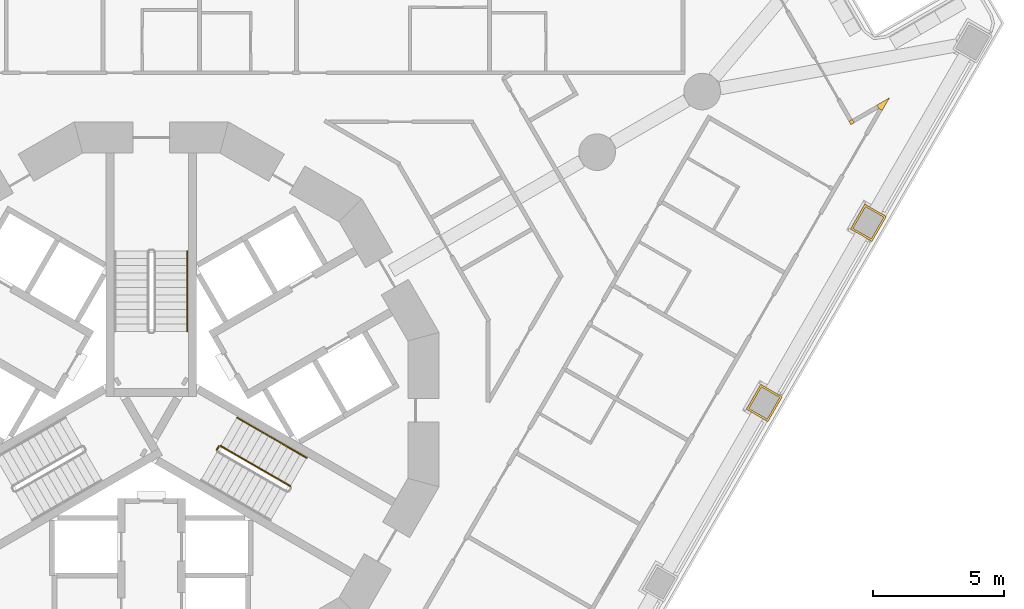
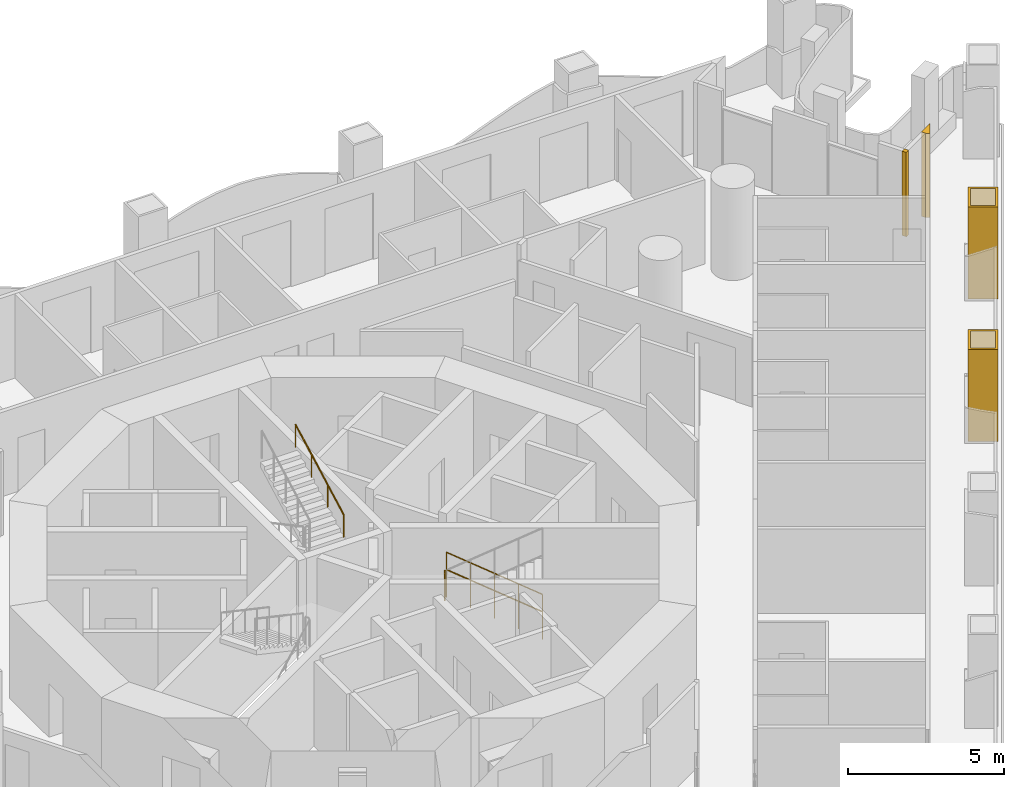
# One storey, part 17 of 19: 5 railings, 4 coverings.
"""IFC4 building model written with IfcOpenShell, lengths in metres."""

from ifc_helpers import new_model, si_unit, direction, frame, origin, origin_2d, place, context, subcontext, project, spatial, polyline, circle, outline, extrude, material, layer, layer_set, type_object, element, save


model = new_model("IFC4")

# Units and contexts
model_context = context("Model", 3, precision=1e-05, world=origin(), true_north=direction((0.0, 1.0)))
body_context = subcontext(model_context, "Body", "Model", "MODEL_VIEW")
ifc_project = project(units=[si_unit("LENGTHUNIT", "METRE"), si_unit("AREAUNIT", "SQUARE_METRE"), si_unit("VOLUMEUNIT", "CUBIC_METRE"), si_unit("PLANEANGLEUNIT", "RADIAN"), si_unit("MASSUNIT", "GRAM", prefix="KILO")], contexts=[model_context])

# Site, building, storey
site_placement = place(None, origin())
site = spatial("IfcSite", under=ifc_project, at=site_placement, CompositionType="ELEMENT")
building_placement = place(site_placement, origin())
building = spatial("IfcBuilding", under=site, at=building_placement, Name="Trine Commons Tower", CompositionType="ELEMENT")
storey_placement = place(building_placement, frame((0.0, 0.0, 31.5)))
storey = spatial("IfcBuildingStorey", under=building, at=storey_placement, Name="L06", CompositionType="ELEMENT", Elevation=31.5)

# Coverings
ifc_material_1 = material(Name="Aluminium-framed insulated wall panel", Category="aluminium")
ifc_layer_1 = layer(ifc_material_1, 0.14990234375)
ifc_layer_set_1 = layer_set([ifc_layer_1], Name="Aluminium-framed insulated wall panel")
covering_type_1 = type_object("IfcCoveringType", Name="Glazing corner post, aluminium", PredefinedType="CLADDING", material=ifc_layer_set_1)
covering_1_placement = place(storey_placement, origin())
element("IfcCovering", 1, at=covering_1_placement, inside=storey, type_object=covering_type_1, Name="Glazing corner post 1-07", PredefinedType="CLADDING", context=body_context, shape_type="SweptSolid", body=[
    extrude(outline(polyline([(106.688720703125, 73.532470703125), (106.763671875, 73.402587890625), (106.8935546875, 73.4775390625), (106.818603515625, 73.607421875), (106.688720703125, 73.532470703125)])), origin(), (0.0, 0.0, 1.0), 3.300048828125),
])
covering_2_placement = place(storey_placement, origin())
element("IfcCovering", 2, at=covering_2_placement, inside=storey, type_object=covering_type_1, Name="Glazing corner post 1-08", PredefinedType="CLADDING", context=body_context, shape_type="SweptSolid", body=[
    extrude(outline(polyline([(107.963623046875, 73.9453125), (108.24365234375, 74.43017578125), (107.7587890625, 74.150146484375), (107.833740234375, 74.020263671875), (107.963623046875, 73.9453125)])), origin(), (0.0, 0.0, 1.0), 3.300048828125),
])
ifc_material_2 = material(Name="Limestone, honed", Category="masonry")
ifc_layer_2 = layer(ifc_material_2, 0.074951171875)
ifc_layer_set_2 = layer_set([ifc_layer_2], Name="Limestone, honed")
covering_type_2 = type_object("IfcCoveringType", Name="Limestone column cladding 75", PredefinedType="CLADDING", material=ifc_layer_set_2)
covering_3_placement = place(storey_placement, origin())
element("IfcCovering", 3, at=covering_3_placement, inside=storey, type_object=covering_type_2, Name="Limestone pier cladding 1-18", PredefinedType="CLADDING", context=body_context, shape_type="SweptSolid", body=[
    extrude(outline(polyline([(108.12109375, 69.8876953125), (107.298095703125, 70.36279296875), (106.748291015625, 69.41015625), (107.571044921875, 68.93505859375), (108.12109375, 69.8876953125)]), holes=[polyline([(108.0185546875, 69.8603515625), (107.32568359375, 70.26025390625), (106.8505859375, 69.4375), (107.54345703125, 69.03759765625), (108.0185546875, 69.8603515625)])]), origin(), (0.0, 0.0, 1.0), 3.60009765625),
])
covering_4_placement = place(storey_placement, origin())
element("IfcCovering", 4, at=covering_4_placement, inside=storey, type_object=covering_type_2, Name="Limestone pier cladding 1-19", PredefinedType="CLADDING", context=body_context, shape_type="SweptSolid", body=[
    extrude(outline(polyline([(104.139404296875, 62.9912109375), (103.31640625, 63.46630859375), (102.7666015625, 62.513671875), (103.58935546875, 62.03857421875), (104.139404296875, 62.9912109375)]), holes=[polyline([(104.036865234375, 62.9638671875), (103.343994140625, 63.36376953125), (102.868896484375, 62.541015625), (103.561767578125, 62.14111328125), (104.036865234375, 62.9638671875)])]), origin(), (0.0, 0.0, 1.0), 3.60009765625),
])

# Railings
ifc_material_3 = material(Name="Stainless steel balustrade", Category="steel")
railing_type_1 = type_object("IfcRailingType", Name="Stair guard, steel balustrade 1100", PredefinedType="GUARDRAIL", material=ifc_material_3)
railing_1_placement = place(storey_placement, frame((85.31982421875, 59.572998046875, 0.14990234375)))
element("IfcRailing", 5, at=railing_1_placement, inside=storey, type_object=railing_type_1, Name="L06 ST3A stair guard 1", PredefinedType="GUARDRAIL", context=body_context, shape_type="SweptSolid", body=[
    extrude(circle(Radius=0.02392578125, at=origin_2d()), frame((0.0, 0.0, 1.076171875), z_axis=(-0.763379768245, 0.440728498818, 0.472239049384), x_axis=(-0.499992328818, -0.866029832698, 0.0)), (0.0, 0.0, 1.0), 3.494384765625),
    extrude(circle(Radius=0.02099609375, at=origin_2d()), origin(), (0.0, 0.0, 1.0), 1.052001953125),
    extrude(circle(Radius=0.02099609375, at=origin_2d()), frame((-0.6669921875, 0.385009765625, 0.41259765625)), (0.0, 0.0, 1.0), 1.052001953125),
    extrude(circle(Radius=0.02099609375, at=origin_2d()), frame((-1.333740234375, 0.77001953125, 0.8251953125)), (0.0, 0.0, 1.0), 1.052001953125),
    extrude(circle(Radius=0.02099609375, at=origin_2d()), frame((-2.00048828125, 1.155029296875, 1.237548828125)), (0.0, 0.0, 1.0), 1.052001953125),
    extrude(circle(Radius=0.02099609375, at=origin_2d()), frame((-2.66748046875, 1.5400390625, 1.650146484375)), (0.0, 0.0, 1.0), 1.052001953125),
])
railing_2_placement = place(storey_placement, frame((82.584228515625, 61.0947265625, 1.800048828125)))
element("IfcRailing", 6, at=railing_2_placement, inside=storey, type_object=railing_type_1, Name="L06 ST3A stair guard 2", PredefinedType="GUARDRAIL", context=body_context, shape_type="SweptSolid", body=[
    extrude(circle(Radius=0.02392578125, at=origin_2d()), frame((0.0, 0.0, 1.076171875), z_axis=(-0.501036270542, -0.865426285481, 0.0), x_axis=(0.865426285481, -0.501036270542, 0.0)), (0.0, 0.0, 1.0), 0.150146484375),
    extrude(circle(Radius=0.02099609375, at=origin_2d()), origin(), (0.0, 0.0, 1.0), 1.052001953125),
    extrude(circle(Radius=0.02099609375, at=origin_2d()), frame((-0.0751953125, -0.1298828125, 0.0)), (0.0, 0.0, 1.0), 1.052001953125),
])
ifc_material_4 = material(Name="Stainless steel handrail", Category="steel")
railing_type_2 = type_object("IfcRailingType", Name="Stair handrail, steel 900", PredefinedType="HANDRAIL", material=ifc_material_4)
railing_3_placement = place(storey_placement, frame((81.375, 65.490478515625, 1.949951171875)))
element("IfcRailing", 7, at=railing_3_placement, inside=storey, type_object=railing_type_2, Name="L06 ST1A stair handrail 2", PredefinedType="HANDRAIL", context=body_context, shape_type="SweptSolid", body=[
    extrude(circle(Radius=0.02099609375, at=origin_2d()), frame((0.0, 0.0, 0.87890625), z_axis=(0.0, 0.881467505477, 0.472244678941), x_axis=(-1.0, 0.0, 0.0)), (0.0, 0.0, 1.0), 3.494140625),
    extrude(circle(Radius=0.01513671875, at=origin_2d()), origin(), (0.0, 0.0, 1.0), 0.85791015625),
    extrude(circle(Radius=0.01513671875, at=origin_2d()), frame((0.0, 1.026611328125, 0.550048828125)), (0.0, 0.0, 1.0), 0.85791015625),
    extrude(circle(Radius=0.01513671875, at=origin_2d()), frame((0.0, 2.053466796875, 1.10009765625)), (0.0, 0.0, 1.0), 0.85791015625),
    extrude(circle(Radius=0.01513671875, at=origin_2d()), frame((0.0, 3.080078125, 1.650146484375)), (0.0, 0.0, 1.0), 0.85791015625),
])
railing_4_placement = place(storey_placement, frame((85.94482421875, 60.655517578125, 0.14990234375)))
element("IfcRailing", 8, at=railing_4_placement, inside=storey, type_object=railing_type_2, Name="L06 ST3A stair handrail 1", PredefinedType="HANDRAIL", context=body_context, shape_type="SweptSolid", body=[
    extrude(circle(Radius=0.02099609375, at=origin_2d()), frame((0.0, 0.0, 0.87890625), z_axis=(-0.763354580307, 0.440713956853, 0.472293333596), x_axis=(-0.499992328818, -0.866029832698, 0.0)), (0.0, 0.0, 1.0), 1.747314453125),
    extrude(circle(Radius=0.01513671875, at=origin_2d()), origin(), (0.0, 0.0, 1.0), 0.85791015625),
    extrude(circle(Radius=0.01513671875, at=origin_2d()), frame((-0.6669921875, 0.385009765625, 0.41259765625)), (0.0, 0.0, 1.0), 0.85791015625),
    extrude(circle(Radius=0.01513671875, at=origin_2d()), frame((-1.333740234375, 0.77001953125, 0.8251953125)), (0.0, 0.0, 1.0), 0.85791015625),
])
railing_5_placement = place(storey_placement, frame((84.611083984375, 61.425537109375, 0.97509765625)))
element("IfcRailing", 9, at=railing_5_placement, inside=storey, type_object=railing_type_2, Name="L06 ST3A stair handrail 2", PredefinedType="HANDRAIL", context=body_context, shape_type="SweptSolid", body=[
    extrude(circle(Radius=0.02099609375, at=origin_2d()), frame((0.0, 0.0, 0.87890625), z_axis=(-0.76340495495, 0.440743040072, 0.472184759798), x_axis=(-0.499992328818, -0.866029832698, 0.0)), (0.0, 0.0, 1.0), 1.7470703125),
    extrude(circle(Radius=0.01513671875, at=origin_2d()), origin(), (0.0, 0.0, 1.0), 0.85791015625),
    extrude(circle(Radius=0.01513671875, at=origin_2d()), frame((-0.6669921875, 0.385009765625, 0.41259765625)), (0.0, 0.0, 1.0), 0.85791015625),
    extrude(circle(Radius=0.01513671875, at=origin_2d()), frame((-1.333740234375, 0.77001953125, 0.824951171875)), (0.0, 0.0, 1.0), 0.85791015625),
])

save(model, "model.ifc")
